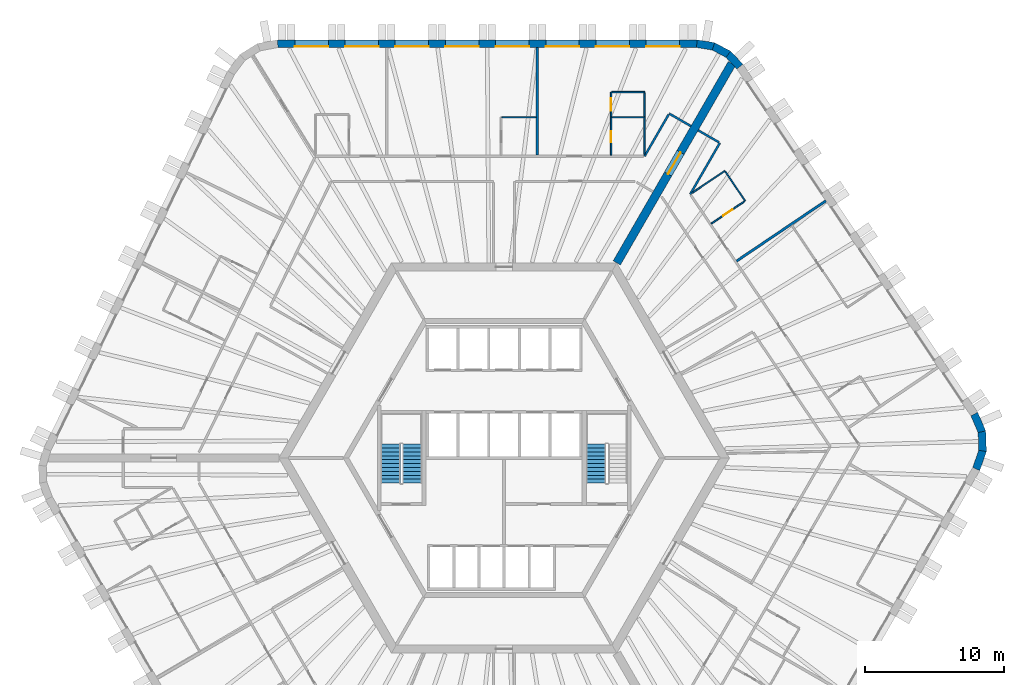
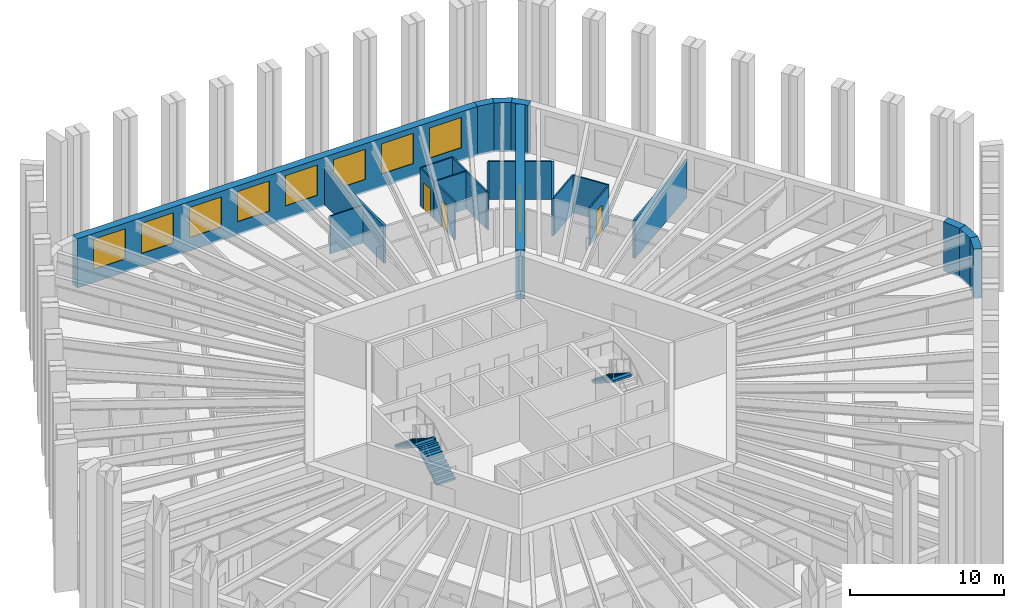
# One storey, part 10 of 13: 24 walls, 8 windows, 4 doors, 3 stair flights, 12 openings, 2 elements without a shape of their own.
"""IFC4 building model written with IfcOpenShell, lengths in metres."""

from ifc_helpers import new_model, si_unit, direction, frame, frame_2d, origin, place, context, subcontext, project, spatial, polyline, rectangle, outline, extrude, material, layer, layer_set, type_object, element, fill, aggregate, save


model = new_model("IFC4")

# Units and contexts
model_context = context("Model", 3, precision=1e-05, world=origin(), true_north=direction((0.0, 1.0)))
body_context = subcontext(model_context, "Body", "Model", "MODEL_VIEW")
ifc_project = project(units=[si_unit("LENGTHUNIT", "METRE"), si_unit("AREAUNIT", "SQUARE_METRE"), si_unit("VOLUMEUNIT", "CUBIC_METRE"), si_unit("PLANEANGLEUNIT", "RADIAN"), si_unit("MASSUNIT", "GRAM", prefix="KILO")], contexts=[model_context])

# Site, building, storey
site_placement = place(None, origin())
site = spatial("IfcSite", under=ifc_project, at=site_placement, CompositionType="ELEMENT")
building_placement = place(site_placement, origin())
building = spatial("IfcBuilding", under=site, at=building_placement, Name="Tarnside Tower", CompositionType="ELEMENT")
storey_placement = place(building_placement, frame((0.0, 0.0, 80.39990234375)))
storey = spatial("IfcBuildingStorey", under=building, at=storey_placement, Name="L17", CompositionType="ELEMENT", Elevation=80.39990234375)

# Wall, opening, door
ifc_material_1 = material(Name="Gypsum board partition on steel studs", Category="steel")
ifc_layer_1 = layer(ifc_material_1, 0.10009765625)
ifc_layer_set_1 = layer_set([ifc_layer_1], Name="Bathroom wall 100")
wall_type_1 = type_object("IfcWallType", Name="Bathroom wall 100", PredefinedType="PARTITIONING", material=ifc_layer_set_1)
wall_1_placement = place(storey_placement, frame((7.6748046875, 21.72509765625, 0.0), z_axis=(0.0, 0.0, 1.0), x_axis=(0.0, 1.0, 0.0)))
wall_1 = element("IfcWall", 1, at=wall_1_placement, inside=storey, type_object=wall_type_1, Name="Bathroom wall 05079", PredefinedType="PARTITIONING", context=body_context, shape_type="SweptSolid", body=[
    extrude(rectangle(XDim=2.724853515625, YDim=0.10009765625, at=frame_2d((1.3623046875, 0.0))), origin(), (0.0, 0.0, 1.0), 2.98779296875),
])
opening_1_placement = place(wall_1_placement, frame((0.925048828125, 0.0, 0.0)))
opening_1 = element("IfcOpeningElement", 2, at=opening_1_placement, cuts=wall_1, Name="Opening D-B1", PredefinedType="OPENING", context=body_context, shape_type="SweptSolid", body=[
    extrude(rectangle(XDim=0.800048828125, YDim=2.10009765625, at=frame_2d((0.39990234375, 1.050048828125))), frame((0.0, 0.06005859375, 0.0), z_axis=(0.0, -1.0, 0.0), x_axis=(1.0, 0.0, 0.0)), (0.0, 0.0, 1.0), 0.1201171875),
])
ifc_material_2 = material(Name="Timber door leaf", Category="wood")
door_type_1 = type_object("IfcDoorType", Name="Bathroom door 800", OperationType="NOTDEFINED", PredefinedType="DOOR", material=ifc_material_2)
door_1_placement = place(opening_1_placement, origin())
door_1 = element("IfcDoor", 3, at=door_1_placement, inside=storey, type_object=door_type_1, Name="Bathroom door 05002", OperationType="SINGLE_SWING_RIGHT", OverallHeight=2.10009765625, OverallWidth=0.800048828125, PredefinedType="DOOR", context=body_context, shape_type="SweptSolid", body=[
    extrude(rectangle(XDim=0.800048828125, YDim=2.10009765625, at=frame_2d((0.39990234375, 1.050048828125))), frame((0.0, 0.02490234375, 0.0), z_axis=(0.0, -1.0, 0.0), x_axis=(1.0, 0.0, 0.0)), (0.0, 0.0, 1.0), 0.050048828125),
])
fill(opening_1, door_1)

# Walls
wall_2_placement = place(storey_placement, frame((10.07470703125, 24.449951171875, 0.0), z_axis=(0.0, 0.0, 1.0), x_axis=(0.0, -1.0, 0.0)))
element("IfcWall", 4, at=wall_2_placement, inside=storey, type_object=wall_type_1, Name="Bathroom wall 05080", PredefinedType="PARTITIONING", context=body_context, shape_type="SweptSolid", body=[
    extrude(rectangle(XDim=2.64990234375, YDim=0.10009765625, at=frame_2d((1.324951171875, 0.0))), origin(), (0.0, 0.0, 1.0), 2.98779296875),
])
wall_3_placement = place(storey_placement, frame((10.024658203125, 24.449951171875, 0.0), z_axis=(0.0, 0.0, 1.0), x_axis=(-1.0, 0.0, 0.0)))
element("IfcWall", 5, at=wall_3_placement, inside=storey, type_object=wall_type_1, Name="Bathroom wall 05086", PredefinedType="PARTITIONING", context=body_context, shape_type="SweptSolid", body=[
    extrude(rectangle(XDim=2.2998046875, YDim=0.10009765625, at=frame_2d((1.14990234375, 0.0))), origin(), (0.0, 0.0, 1.0), 2.98779296875),
])
wall_4_placement = place(storey_placement, frame((-0.1611328125, 24.449951171875, 0.0), z_axis=(0.0, 0.0, 1.0), x_axis=(1.0, 0.0, 0.0)))
element("IfcWall", 6, at=wall_4_placement, inside=storey, type_object=wall_type_1, Name="Bathroom wall 05088", PredefinedType="PARTITIONING", context=body_context, shape_type="SweptSolid", body=[
    extrude(rectangle(XDim=2.4599609375, YDim=0.10009765625, at=frame_2d((1.22998046875, 0.0))), origin(), (0.0, 0.0, 1.0), 2.98779296875),
])
wall_5_placement = place(storey_placement, frame((13.4921875, 19.019287109375, 0.0), z_axis=(0.0, 0.0, 1.0), x_axis=(0.829037705426, 0.559192706481, 0.0)))
element("IfcWall", 7, at=wall_5_placement, inside=storey, type_object=wall_type_1, Name="Bathroom wall 05156", PredefinedType="PARTITIONING", context=body_context, shape_type="SweptSolid", body=[
    extrude(rectangle(XDim=2.8291015625, YDim=0.10009765625, at=frame_2d((1.41455078125, 0.0))), origin(), (0.0, 0.0, 1.0), 2.98779296875),
])
wall_6_placement = place(storey_placement, frame((15.865478515625, 20.559814453125, 0.0), z_axis=(0.0, 0.0, 1.0), x_axis=(0.559221247909, -0.829018453285, 0.0)))
element("IfcWall", 8, at=wall_6_placement, inside=storey, type_object=wall_type_1, Name="Bathroom wall 05157", PredefinedType="PARTITIONING", context=body_context, shape_type="SweptSolid", body=[
    extrude(rectangle(XDim=2.550048828125, YDim=0.10009765625, at=frame_2d((1.27490234375, 0.0))), origin(), (0.0, 0.0, 1.0), 2.98779296875),
])

# Wall, opening, door
wall_7_placement = place(storey_placement, frame((17.25, 18.417724609375, 0.0), z_axis=(0.0, 0.0, 1.0), x_axis=(-0.82904649496, -0.559179675234, 0.0)))
wall_7 = element("IfcWall", 9, at=wall_7_placement, inside=storey, type_object=wall_type_1, Name="Bathroom wall 05158", PredefinedType="PARTITIONING", context=body_context, shape_type="SweptSolid", body=[
    extrude(rectangle(XDim=2.875, YDim=0.10009765625, at=frame_2d((1.4375, 0.0))), origin(), (0.0, 0.0, 1.0), 2.98779296875),
])
opening_2_placement = place(wall_7_placement, frame((1.050048828125, 0.0, 0.0)))
opening_2 = element("IfcOpeningElement", 10, at=opening_2_placement, cuts=wall_7, Name="Opening D-B1", PredefinedType="OPENING", context=body_context, shape_type="SweptSolid", body=[
    extrude(rectangle(XDim=0.800048828125, YDim=2.10009765625, at=frame_2d((0.39990234375, 1.050048828125))), frame((0.0, 0.06005859375, 0.0), z_axis=(0.0, -1.0, 0.0), x_axis=(1.0, 0.0, 0.0)), (0.0, 0.0, 1.0), 0.1201171875),
])
door_2_placement = place(opening_2_placement, origin())
door_2 = element("IfcDoor", 11, at=door_2_placement, inside=storey, type_object=door_type_1, Name="Bathroom door 05040", OperationType="SINGLE_SWING_LEFT", OverallHeight=2.10009765625, OverallWidth=0.800048828125, PredefinedType="DOOR", context=body_context, shape_type="SweptSolid", body=[
    extrude(rectangle(XDim=0.800048828125, YDim=2.10009765625, at=frame_2d((0.39990234375, 1.050048828125))), frame((0.0, 0.02490234375, 0.0), z_axis=(0.0, -1.0, 0.0), x_axis=(1.0, 0.0, 0.0)), (0.0, 0.0, 1.0), 0.050048828125),
])
fill(opening_2, door_2)

ifc_material_3 = material(Name="Concrete C80/95", Category="concrete")
ifc_layer_2 = layer(ifc_material_3, 0.60009765625)
ifc_layer_set_2 = layer_set([ifc_layer_2], Name="Core wall Z1 600 C80/95")
wall_type_2 = type_object("IfcWallType", Name="Core wall Z1 600 C80/95", PredefinedType="SHEAR", material=ifc_layer_set_2)
wall_8_placement = place(storey_placement, frame((8.0830078125, 14.0, -0.14990234375), z_axis=(0.0, 0.0, 1.0), x_axis=(0.499997680643, 0.866026742862, 0.0)))
wall_8 = element("IfcWall", 12, at=wall_8_placement, inside=storey, type_object=wall_type_2, Name="L17 spine wall 1", PredefinedType="SHEAR", context=body_context, shape_type="SweptSolid", body=[
    extrude(rectangle(XDim=16.5087890625, YDim=0.60009765625, at=frame_2d((8.25439453125, 0.0))), origin(), (0.0, 0.0, 1.0), 3.89990234375),
])
opening_3_placement = place(wall_8_placement, frame((7.3544921875, 0.0, 0.14990234375)))
opening_3 = element("IfcOpeningElement", 13, at=opening_3_placement, cuts=wall_8, Name="Opening CD-SPN", PredefinedType="OPENING", context=body_context, shape_type="SweptSolid", body=[
    extrude(rectangle(XDim=1.800048828125, YDim=2.39990234375, at=frame_2d((0.89990234375, 1.199951171875))), frame((0.0, 0.31005859375, 0.0), z_axis=(0.0, -1.0, 0.0), x_axis=(1.0, 0.0, 0.0)), (0.0, 0.0, 1.0), 0.6201171875),
])
ifc_material_4 = material(Name="Steel fire door", Category="steel")
door_type_2 = type_object("IfcDoorType", Name="Spine passage double door FD60 1800x2400", OperationType="NOTDEFINED", PredefinedType="DOOR", material=ifc_material_4)
door_3_placement = place(opening_3_placement, origin())
door_3 = element("IfcDoor", 14, at=door_3_placement, inside=storey, type_object=door_type_2, Name="L17 spine passage door 1", OperationType="DOUBLE_DOOR_SINGLE_SWING", OverallHeight=2.39990234375, OverallWidth=1.800048828125, PredefinedType="DOOR", context=body_context, shape_type="SweptSolid", body=[
    extrude(rectangle(XDim=1.800048828125, YDim=2.39990234375, at=frame_2d((0.89990234375, 1.199951171875))), frame((0.0, 0.02490234375, 0.0), z_axis=(0.0, -1.0, 0.0), x_axis=(1.0, 0.0, 0.0)), (0.0, 0.0, 1.0), 0.050048828125),
])
fill(opening_3, door_3)

# Walls
ifc_layer_3 = layer(ifc_material_1, 0.14990234375)
ifc_layer_set_3 = layer_set([ifc_layer_3], Name="Corridor wall 150 EI 60")
wall_type_3 = type_object("IfcWallType", Name="Corridor wall 150 EI 60", PredefinedType="PARTITIONING", material=ifc_layer_set_3)
wall_9_placement = place(storey_placement, frame((13.400390625, 23.81005859375, 0.0), z_axis=(0.0, 0.0, 1.0), x_axis=(-0.865989075817, 0.500062916607, 0.0)))
element("IfcWall", 15, at=wall_9_placement, inside=storey, type_object=wall_type_3, Name="Corridor wall 05002", PredefinedType="PARTITIONING", context=body_context, shape_type="SweptSolid", body=[
    extrude(rectangle(XDim=1.800048828125, YDim=0.14990234375, at=frame_2d((0.89990234375, 0.0))), origin(), (0.0, 0.0, 1.0), 2.98779296875),
])
wall_10_placement = place(storey_placement, frame((11.803955078125, 24.64501953125, 0.0), z_axis=(0.0, 0.0, 1.0), x_axis=(-0.500003541824, -0.866023358902, 0.0)))
element("IfcWall", 16, at=wall_10_placement, inside=storey, type_object=wall_type_3, Name="Corridor wall 05003", PredefinedType="PARTITIONING", context=body_context, shape_type="SweptSolid", body=[
    extrude(rectangle(XDim=3.45849609375, YDim=0.14990234375, at=frame_2d((1.729248046875, 0.0))), origin(), (0.0, 0.0, 1.0), 2.98779296875),
])
wall_11_placement = place(storey_placement, frame((13.350341796875, 18.923583984375, 0.0), z_axis=(0.0, 0.0, 1.0), x_axis=(0.500000470374, 0.866025132214, 0.0)))
element("IfcWall", 17, at=wall_11_placement, inside=storey, type_object=wall_type_3, Name="Corridor wall 05065", PredefinedType="PARTITIONING", context=body_context, shape_type="SweptSolid", body=[
    extrude(rectangle(XDim=4.2568359375, YDim=0.14990234375, at=frame_2d((2.12841796875, 0.0))), origin(), (0.0, 0.0, 1.0), 2.98779296875),
])
wall_12_placement = place(storey_placement, frame((15.413818359375, 22.647705078125, 0.0), z_axis=(0.0, 0.0, 1.0), x_axis=(-0.866074815912, 0.499914405916, 0.0)))
element("IfcWall", 18, at=wall_12_placement, inside=storey, type_object=wall_type_3, Name="Corridor wall 05066", PredefinedType="PARTITIONING", context=body_context, shape_type="SweptSolid", body=[
    extrude(rectangle(XDim=1.724853515625, YDim=0.14990234375, at=frame_2d((0.8623046875, 0.0))), origin(), (0.0, 0.0, 1.0), 2.98779296875),
])
ifc_layer_4 = layer(ifc_material_1, 0.179931640625)
ifc_layer_set_4 = layer_set([ifc_layer_4], Name="Demising wall 180 EI 60")
wall_type_4 = type_object("IfcWallType", Name="Demising wall 180 EI 60", PredefinedType="PARTITIONING", material=ifc_layer_set_4)
wall_13_placement = place(storey_placement, frame((2.388916015625, 29.449951171875, 0.0), z_axis=(0.0, 0.0, 1.0), x_axis=(0.0, -1.0, 0.0)))
element("IfcWall", 19, at=wall_13_placement, inside=storey, type_object=wall_type_4, Name="Demising wall 05084", PredefinedType="PARTITIONING", context=body_context, shape_type="SweptSolid", body=[
    extrude(rectangle(XDim=7.724853515625, YDim=0.179931640625, at=frame_2d((3.8623046875, 0.0))), origin(), (0.0, 0.0, 1.0), 2.98779296875),
])
wall_14_placement = place(storey_placement, frame((23.079345703125, 18.44873046875, 0.0), z_axis=(0.0, 0.0, 1.0), x_axis=(-0.82903328576, -0.559199258853, 0.0)))
element("IfcWall", 20, at=wall_14_placement, inside=storey, type_object=wall_type_4, Name="Demising wall 05154", PredefinedType="PARTITIONING", context=body_context, shape_type="SweptSolid", body=[
    extrude(rectangle(XDim=7.72509765625, YDim=0.179931640625, at=frame_2d((3.862548828125, 0.0))), origin(), (0.0, 0.0, 1.0), 2.98779296875),
])

# Wall, opening, door
ifc_layer_5 = layer(ifc_material_1, 0.10009765625)
ifc_layer_set_5 = layer_set([ifc_layer_5], Name="Partition 100")
wall_type_5 = type_object("IfcWallType", Name="Partition 100", PredefinedType="PARTITIONING", material=ifc_layer_set_5)
wall_15_placement = place(storey_placement, frame((7.6748046875, 24.5, 0.0), z_axis=(0.0, 0.0, 1.0), x_axis=(0.0, 1.0, 0.0)))
wall_15 = element("IfcWall", 21, at=wall_15_placement, inside=storey, type_object=wall_type_5, Name="Partition wall 05081", PredefinedType="PARTITIONING", context=body_context, shape_type="SweptSolid", body=[
    extrude(rectangle(XDim=1.75, YDim=0.10009765625, at=frame_2d((0.875, 0.0))), origin(), (0.0, 0.0, 1.0), 2.98779296875),
])
opening_4_placement = place(wall_15_placement, frame((0.39990234375, 0.0, 0.0)))
opening_4 = element("IfcOpeningElement", 22, at=opening_4_placement, cuts=wall_15, Name="Opening D-I1", PredefinedType="OPENING", context=body_context, shape_type="SweptSolid", body=[
    extrude(rectangle(XDim=0.89990234375, YDim=2.10009765625, at=frame_2d((0.449951171875, 1.050048828125))), frame((0.0, 0.06005859375, 0.0), z_axis=(0.0, -1.0, 0.0), x_axis=(1.0, 0.0, 0.0)), (0.0, 0.0, 1.0), 0.1201171875),
])
door_type_3 = type_object("IfcDoorType", Name="Internal door 900", OperationType="NOTDEFINED", PredefinedType="DOOR", material=ifc_material_2)
door_4_placement = place(opening_4_placement, origin())
door_4 = element("IfcDoor", 23, at=door_4_placement, inside=storey, type_object=door_type_3, Name="Internal door 05003", OperationType="SINGLE_SWING_RIGHT", OverallHeight=2.10009765625, OverallWidth=0.89990234375, PredefinedType="DOOR", context=body_context, shape_type="SweptSolid", body=[
    extrude(rectangle(XDim=0.89990234375, YDim=2.10009765625, at=frame_2d((0.449951171875, 1.050048828125))), frame((0.0, 0.02490234375, 0.0), z_axis=(0.0, -1.0, 0.0), x_axis=(1.0, 0.0, 0.0)), (0.0, 0.0, 1.0), 0.050048828125),
])
fill(opening_4, door_4)

# Walls
wall_16_placement = place(storey_placement, frame((7.724853515625, 26.25, 0.0), z_axis=(0.0, 0.0, 1.0), x_axis=(1.0, 0.0, 0.0)))
element("IfcWall", 24, at=wall_16_placement, inside=storey, type_object=wall_type_5, Name="Partition wall 05082", PredefinedType="PARTITIONING", context=body_context, shape_type="SweptSolid", body=[
    extrude(rectangle(XDim=2.349853515625, YDim=0.10009765625, at=frame_2d((1.1748046875, 0.0))), origin(), (0.0, 0.0, 1.0), 2.98779296875),
])
wall_17_placement = place(storey_placement, frame((10.07470703125, 26.199951171875, 0.0), z_axis=(0.0, 0.0, 1.0), x_axis=(0.0, -1.0, 0.0)))
element("IfcWall", 25, at=wall_17_placement, inside=storey, type_object=wall_type_5, Name="Partition wall 05083", PredefinedType="PARTITIONING", context=body_context, shape_type="SweptSolid", body=[
    extrude(rectangle(XDim=1.699951171875, YDim=0.10009765625, at=frame_2d((0.85009765625, 0.0))), origin(), (0.0, 0.0, 1.0), 2.98779296875),
])

# Wall, openings, windows
ifc_material_5 = material(Name="Facing brick", Category="masonry")
ifc_layer_6 = layer(ifc_material_5, 0.10205078125)
ifc_material_6 = material(Name="Concrete C60/75 precast", Category="concrete")
ifc_layer_7 = layer(ifc_material_6, 0.347900390625)
ifc_material_7 = material(Name="Mineral wool insulation")
ifc_layer_8 = layer(ifc_material_7, 0.10009765625)
ifc_layer_set_6 = layer_set([ifc_layer_6, ifc_layer_7, ifc_layer_8], Name="Tube wall 550 brick faced")
wall_type_6 = type_object("IfcWallType", Name="Tube wall 550 brick faced", PredefinedType="SOLIDWALL", material=ifc_layer_set_6)
wall_18_placement = place(storey_placement, frame((13.824462890625, 29.72509765625, -0.14990234375), z_axis=(0.0, 0.0, 1.0), x_axis=(-1.0, 0.0, 0.0)))
wall_18 = element("IfcWall", 26, at=wall_18_placement, inside=storey, type_object=wall_type_6, Name="Tube wall L17 F1 flush 00", PredefinedType="SOLIDWALL", context=body_context, shape_type="SweptSolid", body=[
    extrude(outline(polyline([(-0.0224609375, -0.27490234375), (30.0966796875, -0.27490234375), (30.04541015625, 0.27490234375), (0.0224609375, 0.27490234375), (-0.0224609375, -0.27490234375)])), origin(), (0.0, 0.0, 1.0), 3.89990234375),
])
opening_5_placement = place(wall_18_placement, frame((1.235595703125, 0.0, 1.050048828125)))
opening_5 = element("IfcOpeningElement", 27, at=opening_5_placement, cuts=wall_18, Name="Opening WH", PredefinedType="OPENING", context=body_context, shape_type="SweptSolid", body=[
    extrude(rectangle(XDim=2.39990234375, YDim=2.39990234375, at=frame_2d((1.199951171875, 1.199951171875))), frame((0.0, 0.28515625, 0.0), z_axis=(0.0, -1.0, 0.0), x_axis=(1.0, 0.0, 0.0)), (0.0, 0.0, 1.0), 0.570068359375),
])
opening_6_placement = place(wall_18_placement, frame((4.83544921875, 0.0, 1.050048828125)))
opening_6 = element("IfcOpeningElement", 28, at=opening_6_placement, cuts=wall_18, Name="Opening WH", PredefinedType="OPENING", context=body_context, shape_type="SweptSolid", body=[
    extrude(rectangle(XDim=2.39990234375, YDim=2.39990234375, at=frame_2d((1.199951171875, 1.199951171875))), frame((0.0, 0.28515625, 0.0), z_axis=(0.0, -1.0, 0.0), x_axis=(1.0, 0.0, 0.0)), (0.0, 0.0, 1.0), 0.570068359375),
])
opening_7_placement = place(wall_18_placement, frame((8.435546875, 0.0, 1.050048828125)))
opening_7 = element("IfcOpeningElement", 29, at=opening_7_placement, cuts=wall_18, Name="Opening WH", PredefinedType="OPENING", context=body_context, shape_type="SweptSolid", body=[
    extrude(rectangle(XDim=2.39990234375, YDim=2.39990234375, at=frame_2d((1.199951171875, 1.199951171875))), frame((0.0, 0.28515625, 0.0), z_axis=(0.0, -1.0, 0.0), x_axis=(1.0, 0.0, 0.0)), (0.0, 0.0, 1.0), 0.570068359375),
])
opening_8_placement = place(wall_18_placement, frame((12.035400390625, 0.0, 1.050048828125)))
opening_8 = element("IfcOpeningElement", 30, at=opening_8_placement, cuts=wall_18, Name="Opening WH", PredefinedType="OPENING", context=body_context, shape_type="SweptSolid", body=[
    extrude(rectangle(XDim=2.39990234375, YDim=2.39990234375, at=frame_2d((1.199951171875, 1.199951171875))), frame((0.0, 0.28515625, 0.0), z_axis=(0.0, -1.0, 0.0), x_axis=(1.0, 0.0, 0.0)), (0.0, 0.0, 1.0), 0.570068359375),
])
opening_9_placement = place(wall_18_placement, frame((15.635498046875, 0.0, 1.050048828125)))
opening_9 = element("IfcOpeningElement", 31, at=opening_9_placement, cuts=wall_18, Name="Opening WH", PredefinedType="OPENING", context=body_context, shape_type="SweptSolid", body=[
    extrude(rectangle(XDim=2.39990234375, YDim=2.39990234375, at=frame_2d((1.199951171875, 1.199951171875))), frame((0.0, 0.28515625, 0.0), z_axis=(0.0, -1.0, 0.0), x_axis=(1.0, 0.0, 0.0)), (0.0, 0.0, 1.0), 0.570068359375),
])
opening_10_placement = place(wall_18_placement, frame((19.235595703125, 0.0, 1.050048828125)))
opening_10 = element("IfcOpeningElement", 32, at=opening_10_placement, cuts=wall_18, Name="Opening WH", PredefinedType="OPENING", context=body_context, shape_type="SweptSolid", body=[
    extrude(rectangle(XDim=2.39990234375, YDim=2.39990234375, at=frame_2d((1.199951171875, 1.199951171875))), frame((0.0, 0.28515625, 0.0), z_axis=(0.0, -1.0, 0.0), x_axis=(1.0, 0.0, 0.0)), (0.0, 0.0, 1.0), 0.570068359375),
])
opening_11_placement = place(wall_18_placement, frame((22.83544921875, 0.0, 1.050048828125)))
opening_11 = element("IfcOpeningElement", 33, at=opening_11_placement, cuts=wall_18, Name="Opening WH", PredefinedType="OPENING", context=body_context, shape_type="SweptSolid", body=[
    extrude(rectangle(XDim=2.39990234375, YDim=2.39990234375, at=frame_2d((1.199951171875, 1.199951171875))), frame((0.0, 0.28515625, 0.0), z_axis=(0.0, -1.0, 0.0), x_axis=(1.0, 0.0, 0.0)), (0.0, 0.0, 1.0), 0.570068359375),
])
opening_12_placement = place(wall_18_placement, frame((26.435546875, 0.0, 1.050048828125)))
opening_12 = element("IfcOpeningElement", 34, at=opening_12_placement, cuts=wall_18, Name="Opening WH", PredefinedType="OPENING", context=body_context, shape_type="SweptSolid", body=[
    extrude(rectangle(XDim=2.39990234375, YDim=2.39990234375, at=frame_2d((1.199951171875, 1.199951171875))), frame((0.0, 0.28515625, 0.0), z_axis=(0.0, -1.0, 0.0), x_axis=(1.0, 0.0, 0.0)), (0.0, 0.0, 1.0), 0.570068359375),
])
ifc_material_8 = material(Name="Aluminium-framed double glazing", Category="aluminium")
window_type = type_object("IfcWindowType", Name="Hotel window 2400 x 2400", PartitioningType="DOUBLE_PANEL_VERTICAL", PredefinedType="WINDOW", material=ifc_material_8)
window_1_placement = place(opening_5_placement, frame((0.0, 0.205078125, 0.0)))
window_1 = element("IfcWindow", 35, at=window_1_placement, inside=storey, type_object=window_type, Name="E.WN.L17.F1.00", OverallHeight=2.39990234375, OverallWidth=2.39990234375, PartitioningType="DOUBLE_PANEL_VERTICAL", PredefinedType="WINDOW", context=body_context, shape_type="SweptSolid", body=[
    extrude(rectangle(XDim=2.39990234375, YDim=2.39990234375, at=frame_2d((1.199951171875, 1.199951171875))), frame((0.0, 0.030029296875, 0.0), z_axis=(0.0, -1.0, 0.0), x_axis=(1.0, 0.0, 0.0)), (0.0, 0.0, 1.0), 0.06005859375),
])
fill(opening_5, window_1)
window_2_placement = place(opening_6_placement, frame((0.0, 0.205078125, 0.0)))
window_2 = element("IfcWindow", 36, at=window_2_placement, inside=storey, type_object=window_type, Name="E.WN.L17.F1.01", OverallHeight=2.39990234375, OverallWidth=2.39990234375, PartitioningType="DOUBLE_PANEL_VERTICAL", PredefinedType="WINDOW", context=body_context, shape_type="SweptSolid", body=[
    extrude(rectangle(XDim=2.39990234375, YDim=2.39990234375, at=frame_2d((1.199951171875, 1.199951171875))), frame((0.0, 0.030029296875, 0.0), z_axis=(0.0, -1.0, 0.0), x_axis=(1.0, 0.0, 0.0)), (0.0, 0.0, 1.0), 0.06005859375),
])
fill(opening_6, window_2)
window_3_placement = place(opening_7_placement, frame((0.0, 0.205078125, 0.0)))
window_3 = element("IfcWindow", 37, at=window_3_placement, inside=storey, type_object=window_type, Name="E.WN.L17.F1.02", OverallHeight=2.39990234375, OverallWidth=2.39990234375, PartitioningType="DOUBLE_PANEL_VERTICAL", PredefinedType="WINDOW", context=body_context, shape_type="SweptSolid", body=[
    extrude(rectangle(XDim=2.39990234375, YDim=2.39990234375, at=frame_2d((1.199951171875, 1.199951171875))), frame((0.0, 0.030029296875, 0.0), z_axis=(0.0, -1.0, 0.0), x_axis=(1.0, 0.0, 0.0)), (0.0, 0.0, 1.0), 0.06005859375),
])
fill(opening_7, window_3)
window_4_placement = place(opening_8_placement, frame((0.0, 0.205078125, 0.0)))
window_4 = element("IfcWindow", 38, at=window_4_placement, inside=storey, type_object=window_type, Name="E.WN.L17.F1.03", OverallHeight=2.39990234375, OverallWidth=2.39990234375, PartitioningType="DOUBLE_PANEL_VERTICAL", PredefinedType="WINDOW", context=body_context, shape_type="SweptSolid", body=[
    extrude(rectangle(XDim=2.39990234375, YDim=2.39990234375, at=frame_2d((1.199951171875, 1.199951171875))), frame((0.0, 0.030029296875, 0.0), z_axis=(0.0, -1.0, 0.0), x_axis=(1.0, 0.0, 0.0)), (0.0, 0.0, 1.0), 0.06005859375),
])
fill(opening_8, window_4)
window_5_placement = place(opening_9_placement, frame((0.0, 0.205078125, 0.0)))
window_5 = element("IfcWindow", 39, at=window_5_placement, inside=storey, type_object=window_type, Name="E.WN.L17.F1.04", OverallHeight=2.39990234375, OverallWidth=2.39990234375, PartitioningType="DOUBLE_PANEL_VERTICAL", PredefinedType="WINDOW", context=body_context, shape_type="SweptSolid", body=[
    extrude(rectangle(XDim=2.39990234375, YDim=2.39990234375, at=frame_2d((1.199951171875, 1.199951171875))), frame((0.0, 0.030029296875, 0.0), z_axis=(0.0, -1.0, 0.0), x_axis=(1.0, 0.0, 0.0)), (0.0, 0.0, 1.0), 0.06005859375),
])
fill(opening_9, window_5)
window_6_placement = place(opening_10_placement, frame((0.0, 0.205078125, 0.0)))
window_6 = element("IfcWindow", 40, at=window_6_placement, inside=storey, type_object=window_type, Name="E.WN.L17.F1.05", OverallHeight=2.39990234375, OverallWidth=2.39990234375, PartitioningType="DOUBLE_PANEL_VERTICAL", PredefinedType="WINDOW", context=body_context, shape_type="SweptSolid", body=[
    extrude(rectangle(XDim=2.39990234375, YDim=2.39990234375, at=frame_2d((1.199951171875, 1.199951171875))), frame((0.0, 0.030029296875, 0.0), z_axis=(0.0, -1.0, 0.0), x_axis=(1.0, 0.0, 0.0)), (0.0, 0.0, 1.0), 0.06005859375),
])
fill(opening_10, window_6)
window_7_placement = place(opening_11_placement, frame((0.0, 0.205078125, 0.0)))
window_7 = element("IfcWindow", 41, at=window_7_placement, inside=storey, type_object=window_type, Name="E.WN.L17.F1.06", OverallHeight=2.39990234375, OverallWidth=2.39990234375, PartitioningType="DOUBLE_PANEL_VERTICAL", PredefinedType="WINDOW", context=body_context, shape_type="SweptSolid", body=[
    extrude(rectangle(XDim=2.39990234375, YDim=2.39990234375, at=frame_2d((1.199951171875, 1.199951171875))), frame((0.0, 0.030029296875, 0.0), z_axis=(0.0, -1.0, 0.0), x_axis=(1.0, 0.0, 0.0)), (0.0, 0.0, 1.0), 0.06005859375),
])
fill(opening_11, window_7)
window_8_placement = place(opening_12_placement, frame((0.0, 0.205078125, 0.0)))
window_8 = element("IfcWindow", 42, at=window_8_placement, inside=storey, type_object=window_type, Name="E.WN.L17.F1.07", OverallHeight=2.39990234375, OverallWidth=2.39990234375, PartitioningType="DOUBLE_PANEL_VERTICAL", PredefinedType="WINDOW", context=body_context, shape_type="SweptSolid", body=[
    extrude(rectangle(XDim=2.39990234375, YDim=2.39990234375, at=frame_2d((1.199951171875, 1.199951171875))), frame((0.0, 0.030029296875, 0.0), z_axis=(0.0, -1.0, 0.0), x_axis=(1.0, 0.0, 0.0)), (0.0, 0.0, 1.0), 0.06005859375),
])
fill(opening_12, window_8)

# Walls
wall_19_placement = place(storey_placement, frame((33.865966796875, -0.79248046875, -0.14990234375), z_axis=(0.0, 0.0, 1.0), x_axis=(0.33111537203, 0.943590276765, 0.0)))
element("IfcWall", 43, at=wall_19_placement, inside=storey, type_object=wall_type_6, Name="Tube wall L17 F5 chord 17", PredefinedType="SOLIDWALL", context=body_context, shape_type="SweptSolid", body=[
    extrude(outline(polyline([(-0.025634765625, -0.27490234375), (1.4306640625, -0.27490234375), (1.3271484375, 0.27490234375), (0.025634765625, 0.27490234375), (-0.025634765625, -0.27490234375)])), origin(), (0.0, 0.0, 1.0), 3.89990234375),
])
wall_20_placement = place(storey_placement, frame((34.322509765625, 0.508544921875, -0.14990234375), z_axis=(0.0, 0.0, 1.0), x_axis=(-0.034876908462, 0.999391615562, 0.0)))
element("IfcWall", 44, at=wall_20_placement, inside=storey, type_object=wall_type_6, Name="Tube wall L17 F5 chord 18", PredefinedType="SOLIDWALL", context=body_context, shape_type="SweptSolid", body=[
    extrude(outline(polyline([(-0.0517578125, -0.27490234375), (1.4306640625, -0.27490234375), (1.3271484375, 0.27490234375), (0.0517578125, 0.27490234375), (-0.0517578125, -0.27490234375)])), origin(), (0.0, 0.0, 1.0), 3.89990234375),
])
wall_21_placement = place(storey_placement, frame((34.2744140625, 1.88671875, -0.14990234375), z_axis=(0.0, 0.0, 1.0), x_axis=(-0.396161342798, 0.918180913803, 0.0)))
element("IfcWall", 45, at=wall_21_placement, inside=storey, type_object=wall_type_6, Name="Tube wall L17 F5 chord 19", PredefinedType="SOLIDWALL", context=body_context, shape_type="SweptSolid", body=[
    extrude(outline(polyline([(-0.0517578125, -0.27490234375), (1.40478515625, -0.27490234375), (1.353515625, 0.27490234375), (0.0517578125, 0.27490234375), (-0.0517578125, -0.27490234375)])), origin(), (0.0, 0.0, 1.0), 3.89990234375),
])
wall_22_placement = place(storey_placement, frame((16.91259765625, 28.0830078125, -0.14990234375), z_axis=(0.0, 0.0, 1.0), x_axis=(-0.686196220404, 0.727416488061, 0.0)))
element("IfcWall", 46, at=wall_22_placement, inside=storey, type_object=wall_type_6, Name="Tube wall L17 F6 chord 21", PredefinedType="SOLIDWALL", context=body_context, shape_type="SweptSolid", body=[
    extrude(outline(polyline([(-0.0224609375, -0.27490234375), (1.25341796875, -0.27490234375), (1.1630859375, 0.27490234375), (0.0224609375, 0.27490234375), (-0.0224609375, -0.27490234375)])), origin(), (0.0, 0.0, 1.0), 3.89990234375),
])
wall_23_placement = place(storey_placement, frame((16.08349609375, 28.9619140625, -0.14990234375), z_axis=(0.0, 0.0, 1.0), x_axis=(-0.882995347911, 0.469381737574, 0.0)))
element("IfcWall", 47, at=wall_23_placement, inside=storey, type_object=wall_type_6, Name="Tube wall L17 F6 chord 22", PredefinedType="SOLIDWALL", context=body_context, shape_type="SweptSolid", body=[
    extrude(outline(polyline([(-0.045166015625, -0.27490234375), (1.25341796875, -0.27490234375), (1.1630859375, 0.27490234375), (0.045166015625, 0.27490234375), (-0.045166015625, -0.27490234375)])), origin(), (0.0, 0.0, 1.0), 3.89990234375),
])
wall_24_placement = place(storey_placement, frame((15.0166015625, 29.529052734375, -0.14990234375), z_axis=(0.0, 0.0, 1.0), x_axis=(-0.986746625868, 0.162268593195, 0.0)))
element("IfcWall", 48, at=wall_24_placement, inside=storey, type_object=wall_type_6, Name="Tube wall L17 F6 chord 23", PredefinedType="SOLIDWALL", context=body_context, shape_type="SweptSolid", body=[
    extrude(outline(polyline([(-0.045166015625, -0.27490234375), (1.230712890625, -0.27490234375), (1.185791015625, 0.27490234375), (0.045166015625, 0.27490234375), (-0.045166015625, -0.27490234375)])), origin(), (0.0, 0.0, 1.0), 3.89990234375),
])

# Stair, stair flight
ifc_material_9 = material(Name="Concrete C40/50", Category="concrete")
stair_type = type_object("IfcStairType", Name="Exit stair 1400 clear", PredefinedType="HALF_TURN_STAIR", material=ifc_material_9)
stair_1_placement = place(storey_placement, origin())
stair_1 = element("IfcStair", 49, at=stair_1_placement, inside=storey, type_object=stair_type, Name="L17 Exit stair 1", PredefinedType="HALF_TURN_STAIR")
stair_flight_type = type_object("IfcStairFlightType", Name="Exit stair flight 1400", PredefinedType="STRAIGHT", material=ifc_material_9)
stair_flight_1_placement = place(storey_placement, frame((6.60009765625, 1.0, 1.9501953125), z_axis=(0.0, 0.0, 1.0), x_axis=(0.0, -1.0, 0.0)))
stair_flight_1 = element("IfcStairFlight", 50, at=stair_flight_1_placement, type_object=stair_flight_type, Name="ST1 flight 2", NumberOfRisers=11, NumberOfTreads=10, PredefinedType="STRAIGHT", RiserHeight=0.177272727, TreadLength=0.28, context=body_context, shape_type="SweptSolid", body=[
    extrude(outline(polyline([(0.0, 0.0), (0.0, 0.17724609375), (0.280029296875, 0.17724609375), (0.280029296875, 0.3544921875), (0.56005859375, 0.3544921875), (0.56005859375, 0.53173828125), (0.840087890625, 0.53173828125), (0.840087890625, 0.708984375), (1.1201171875, 0.708984375), (1.1201171875, 0.886474609375), (1.39990234375, 0.886474609375), (1.39990234375, 1.063720703125), (1.679931640625, 1.063720703125), (1.679931640625, 1.240966796875), (1.9599609375, 1.240966796875), (1.9599609375, 1.418212890625), (2.239990234375, 1.418212890625), (2.239990234375, 1.595458984375), (2.52001953125, 1.595458984375), (2.52001953125, 1.772705078125), (2.800048828125, 1.772705078125), (2.800048828125, 1.949951171875), (2.800048828125, 1.59521484375), (0.2802734375, 0.0), (0.0, 0.0)])), frame((0.0, 0.699951171875, 0.0), z_axis=(0.0, -1.0, 0.0), x_axis=(1.0, 0.0, 0.0)), (0.0, 0.0, 1.0), 1.39990234375),
])
aggregate(stair_1, [stair_flight_1])

# Stair, stair flights
stair_2_placement = place(storey_placement, origin())
stair_2 = element("IfcStair", 51, at=stair_2_placement, inside=storey, type_object=stair_type, Name="L17 Exit stair 2", PredefinedType="HALF_TURN_STAIR")
stair_flight_2_placement = place(storey_placement, frame((-6.60009765625, -1.800048828125, 0.0), z_axis=(0.0, 0.0, 1.0), x_axis=(0.0, 1.0, 0.0)))
stair_flight_2 = element("IfcStairFlight", 52, at=stair_flight_2_placement, type_object=stair_flight_type, Name="ST2 flight 1", NumberOfRisers=11, NumberOfTreads=10, PredefinedType="STRAIGHT", RiserHeight=0.177272727, TreadLength=0.28, context=body_context, shape_type="SweptSolid", body=[
    extrude(outline(polyline([(0.0, 0.0), (0.0, 0.17724609375), (0.280029296875, 0.17724609375), (0.280029296875, 0.3544921875), (0.56005859375, 0.3544921875), (0.56005859375, 0.53173828125), (0.840087890625, 0.53173828125), (0.840087890625, 0.708984375), (1.1201171875, 0.708984375), (1.1201171875, 0.886474609375), (1.39990234375, 0.886474609375), (1.39990234375, 1.063720703125), (1.679931640625, 1.063720703125), (1.679931640625, 1.240966796875), (1.9599609375, 1.240966796875), (1.9599609375, 1.418212890625), (2.239990234375, 1.418212890625), (2.239990234375, 1.595458984375), (2.52001953125, 1.595458984375), (2.52001953125, 1.772705078125), (2.800048828125, 1.772705078125), (2.800048828125, 1.949951171875), (2.800048828125, 1.59521484375), (0.2802734375, 0.0), (0.0, 0.0)])), frame((0.0, 0.699951171875, 0.0), z_axis=(0.0, -1.0, 0.0), x_axis=(1.0, 0.0, 0.0)), (0.0, 0.0, 1.0), 1.39990234375),
])
stair_flight_3_placement = place(storey_placement, frame((-8.14990234375, 1.0, 1.9501953125), z_axis=(0.0, 0.0, 1.0), x_axis=(0.0, -1.0, 0.0)))
stair_flight_3 = element("IfcStairFlight", 53, at=stair_flight_3_placement, type_object=stair_flight_type, Name="ST2 flight 2", NumberOfRisers=11, NumberOfTreads=10, PredefinedType="STRAIGHT", RiserHeight=0.177272727, TreadLength=0.28, context=body_context, shape_type="SweptSolid", body=[
    extrude(outline(polyline([(0.0, 0.0), (0.0, 0.17724609375), (0.280029296875, 0.17724609375), (0.280029296875, 0.3544921875), (0.56005859375, 0.3544921875), (0.56005859375, 0.53173828125), (0.840087890625, 0.53173828125), (0.840087890625, 0.708984375), (1.1201171875, 0.708984375), (1.1201171875, 0.886474609375), (1.39990234375, 0.886474609375), (1.39990234375, 1.063720703125), (1.679931640625, 1.063720703125), (1.679931640625, 1.240966796875), (1.9599609375, 1.240966796875), (1.9599609375, 1.418212890625), (2.239990234375, 1.418212890625), (2.239990234375, 1.595458984375), (2.52001953125, 1.595458984375), (2.52001953125, 1.772705078125), (2.800048828125, 1.772705078125), (2.800048828125, 1.949951171875), (2.800048828125, 1.59521484375), (0.2802734375, 0.0), (0.0, 0.0)])), frame((0.0, 0.699951171875, 0.0), z_axis=(0.0, -1.0, 0.0), x_axis=(1.0, 0.0, 0.0)), (0.0, 0.0, 1.0), 1.39990234375),
])
aggregate(stair_2, [stair_flight_2, stair_flight_3])

save(model, "model.ifc")
